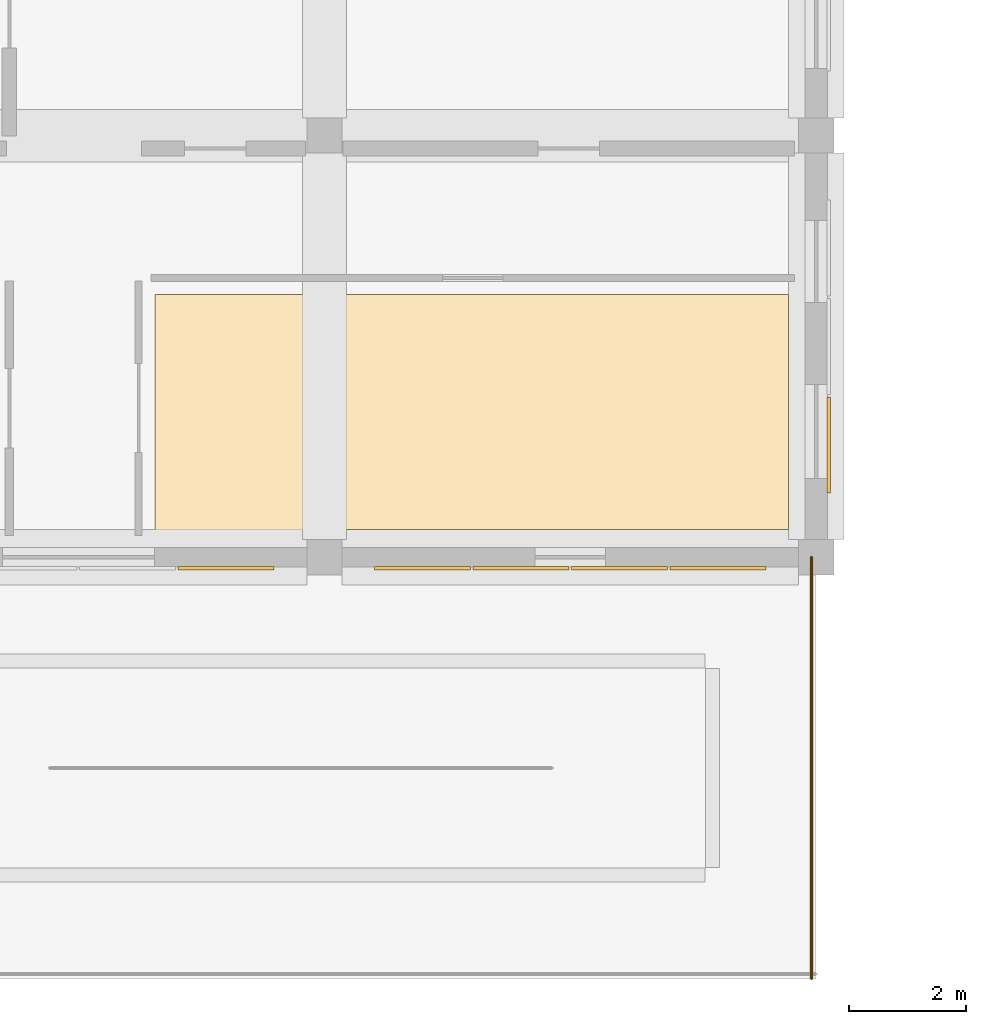
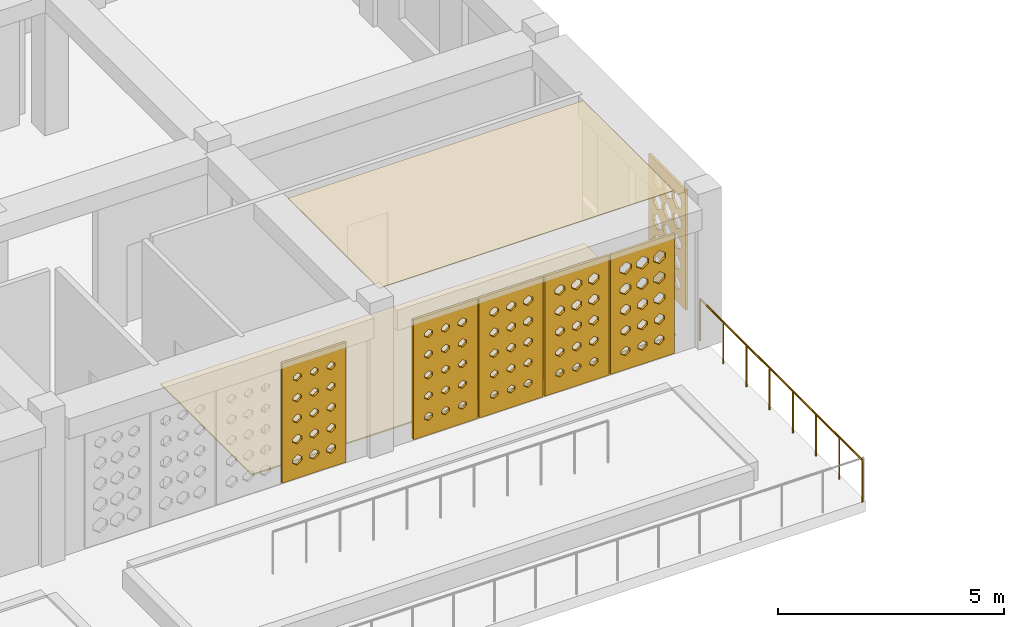
# One storey, part 38 of 48: 8 coverings, 1 railing.
"""IFC4 building model written with IfcOpenShell, lengths in metres."""

from ifc_helpers import new_model, si_unit, derived_unit, direction, frame, origin, origin_2d, place, context, subcontext, project, spatial, polyline, circle, outline, extrude, material, layer, layer_set, type_object, element, save


model = new_model("IFC4")

# Units and contexts
model_context = context("Model", 3, precision=1e-05, world=origin(), true_north=direction((0.0, 1.0)))
body_context = subcontext(model_context, "Body", "Model", "MODEL_VIEW")
ifc_project = project(units=[si_unit("LENGTHUNIT", "METRE"), si_unit("AREAUNIT", "SQUARE_METRE"), si_unit("VOLUMEUNIT", "CUBIC_METRE"), si_unit("PLANEANGLEUNIT", "RADIAN"), si_unit("MASSUNIT", "GRAM", prefix="KILO"), derived_unit("THERMALTRANSMITTANCEUNIT", [(si_unit("POWERUNIT", "WATT"), 1), (si_unit("LENGTHUNIT", "METRE"), -2), (si_unit("THERMODYNAMICTEMPERATUREUNIT", "KELVIN"), -1)])], contexts=[model_context])

# Site, building, storey
site_placement = place(None, origin())
site = spatial("IfcSite", under=ifc_project, at=site_placement, CompositionType="ELEMENT")
building_placement = place(site_placement, origin())
building = spatial("IfcBuilding", under=site, at=building_placement, Name="Veybourne Emporium", CompositionType="ELEMENT")
storey_placement = place(building_placement, frame((0.0, 0.0, 27.89990234375)))
storey = spatial("IfcBuildingStorey", under=building, at=storey_placement, Name="L06", CompositionType="ELEMENT", Elevation=27.89990234375)

# Coverings
ifc_material_1 = material(Name="Mineral Acoustic Ceiling", Category="gypsum")
ifc_layer_1 = layer(ifc_material_1, 0.02490234375)
ifc_layer_set_1 = layer_set([ifc_layer_1], Name="Mineral Acoustic Ceiling")
covering_type_1 = type_object("IfcCoveringType", Name="Ceiling_CLG-01", PredefinedType="CEILING", material=ifc_layer_set_1)
covering_1_placement = place(storey_placement, frame((0.0, 0.0, 3.885009765625)))
element("IfcCovering", 1, at=covering_1_placement, inside=storey, type_object=covering_type_1, Name="L06 coffered acoustic ceiling 02", PredefinedType="CEILING", context=body_context, shape_type="SweptSolid", body=[
    extrude(outline(polyline([(49.927001953125, 11.68994140625), (49.927001953125, 7.673095703125), (42.373046875, 7.673095703125), (42.373046875, 11.68994140625), (49.927001953125, 11.68994140625)])), origin(), (0.0, 0.0, 1.0), 0.025146484375),
])
ifc_material_2 = material(Name="European Oak Parquet", Category="wood")
ifc_layer_2 = layer(ifc_material_2, 0.034912109375)
ifc_layer_set_2 = layer_set([ifc_layer_2], Name="European Oak Parquet")
covering_type_2 = type_object("IfcCoveringType", Name="Flooring_FLR-02", PredefinedType="FLOORING", material=ifc_layer_set_2)
covering_2_placement = place(storey_placement, origin())
element("IfcCovering", 2, at=covering_2_placement, inside=storey, type_object=covering_type_2, Name="L06 floor finish 02", PredefinedType="FLOORING", context=body_context, shape_type="SweptSolid", body=[
    extrude(outline(polyline([(49.9599609375, 11.68994140625), (49.9599609375, 7.639892578125), (39.110107421875, 7.639892578125), (39.110107421875, 11.68994140625), (49.9599609375, 11.68994140625)])), origin(), (0.0, 0.0, 1.0), 0.03515625),
])

# Railing
ifc_material_3 = material(Name="Patinated Architectural Bronze", Category="bronze")
railing_type = type_object("IfcRailingType", Name="Guard_GR-02", PredefinedType="GUARDRAIL", material=ifc_material_3)
railing_placement = place(storey_placement, frame((50.320068359375, 7.199951171875, 0.0)))
element("IfcRailing", 3, at=railing_placement, inside=storey, type_object=railing_type, Name="L06 terrace perimeter guardrail 008", PredefinedType="GUARDRAIL", context=body_context, shape_type="SweptSolid", body=[
    extrude(circle(Radius=0.02392578125, at=origin_2d()), frame((0.0, 0.0, 1.1259765625), z_axis=(0.0, -1.0, 0.0), x_axis=(1.0, 0.0, 0.0)), (0.0, 0.0, 1.0), 7.199951171875),
    extrude(circle(Radius=0.02099609375, at=origin_2d()), origin(), (0.0, 0.0, 1.0), 1.101806640625),
    extrude(circle(Radius=0.02099609375, at=origin_2d()), frame((0.0, -1.028564453125, 0.0)), (0.0, 0.0, 1.0), 1.101806640625),
    extrude(circle(Radius=0.02099609375, at=origin_2d()), frame((0.0, -2.05712890625, 0.0)), (0.0, 0.0, 1.0), 1.101806640625),
    extrude(circle(Radius=0.02099609375, at=origin_2d()), frame((0.0, -3.085693359375, 0.0)), (0.0, 0.0, 1.0), 1.101806640625),
    extrude(circle(Radius=0.02099609375, at=origin_2d()), frame((0.0, -4.1142578125, 0.0)), (0.0, 0.0, 1.0), 1.101806640625),
    extrude(circle(Radius=0.02099609375, at=origin_2d()), frame((0.0, -5.142822265625, 0.0)), (0.0, 0.0, 1.0), 1.101806640625),
    extrude(circle(Radius=0.02099609375, at=origin_2d()), frame((0.0, -6.17138671875, 0.0)), (0.0, 0.0, 1.0), 1.101806640625),
    extrude(circle(Radius=0.02099609375, at=origin_2d()), frame((0.0, -7.199951171875, 0.0)), (0.0, 0.0, 1.0), 1.101806640625),
])

# Coverings
ifc_material_4 = material(Name="Warm-White Perforated Aluminium Screen Alloy", Category="aluminium")
ifc_layer_3 = layer(ifc_material_4, 0.06005859375)
ifc_layer_set_3 = layer_set([ifc_layer_3], Name="Warm-White Perforated Aluminium Screen Alloy")
covering_type_3 = type_object("IfcCoveringType", Name="WaveScreen_SCR-01", PredefinedType="CLADDING", material=ifc_layer_set_3)
covering_3_placement = place(storey_placement, frame((48.719970703125, 6.97705078125, 1.68017578125), z_axis=(0.0, 1.0, 0.0), x_axis=(-1.0, 0.0, 0.0)))
element("IfcCovering", 4, at=covering_3_placement, inside=storey, type_object=covering_type_3, Name="L06 wave-perforated aluminium screen SCR-01 (17T.1)", PredefinedType="CLADDING", context=body_context, shape_type="SweptSolid", body=[
    extrude(outline(polyline([(-0.81982421875, -1.6201171875), (0.81982421875, -1.6201171875), (0.81982421875, 1.6201171875), (-0.81982421875, 1.6201171875), (-0.81982421875, -1.6201171875)]), holes=[polyline([(-0.433349609375, -0.985107421875), (-0.31298828125, -1.0712890625), (-0.31298828125, -1.168701171875), (-0.433349609375, -1.2548828125), (-0.5537109375, -1.168701171875), (-0.5537109375, -1.0712890625), (-0.433349609375, -0.985107421875)]), polyline([(-0.433349609375, -0.4150390625), (-0.3046875, -0.5078125), (-0.3046875, -0.6123046875), (-0.433349609375, -0.704833984375), (-0.56201171875, -0.6123046875), (-0.56201171875, -0.5078125), (-0.433349609375, -0.4150390625)]), polyline([(-0.433349609375, 0.156005859375), (-0.295654296875, 0.05615234375), (-0.295654296875, -0.05615234375), (-0.433349609375, -0.156005859375), (-0.571044921875, -0.05615234375), (-0.571044921875, 0.05615234375), (-0.433349609375, 0.156005859375)]), polyline([(-0.433349609375, 0.72802734375), (-0.285888671875, 0.62060546875), (-0.285888671875, 0.49951171875), (-0.433349609375, 0.39208984375), (-0.580810546875, 0.49951171875), (-0.580810546875, 0.62060546875), (-0.433349609375, 0.72802734375)]), polyline([(-0.433349609375, 1.300537109375), (-0.275634765625, 1.18505859375), (-0.275634765625, 1.054931640625), (-0.433349609375, 0.939453125), (-0.591064453125, 1.054931640625), (-0.591064453125, 1.18505859375), (-0.433349609375, 1.300537109375)]), polyline([(0.0, -0.989501953125), (0.11669921875, -1.072998046875), (0.11669921875, -1.1669921875), (0.0, -1.25048828125), (-0.11669921875, -1.1669921875), (-0.11669921875, -1.072998046875), (0.0, -0.989501953125)]), polyline([(0.0, -0.420166015625), (0.12451171875, -0.509765625), (0.12451171875, -0.6103515625), (0.0, -0.69970703125), (-0.12451171875, -0.6103515625), (-0.12451171875, -0.509765625), (0.0, -0.420166015625)]), polyline([(0.0, 0.150390625), (0.133056640625, 0.05419921875), (0.133056640625, -0.05419921875), (0.0, -0.150390625), (-0.133056640625, -0.05419921875), (-0.133056640625, 0.05419921875), (0.0, 0.150390625)]), polyline([(0.0, 0.721923828125), (0.142578125, 0.618408203125), (0.142578125, 0.501708984375), (0.0, 0.398193359375), (-0.142578125, 0.501708984375), (-0.142578125, 0.618408203125), (0.0, 0.721923828125)]), polyline([(0.0, 1.294189453125), (0.152587890625, 1.1826171875), (0.152587890625, 1.057373046875), (0.0, 0.94580078125), (-0.152587890625, 1.057373046875), (-0.152587890625, 1.1826171875), (0.0, 1.294189453125)]), polyline([(0.433349609375, -0.993408203125), (0.546875, -1.074462890625), (0.546875, -1.16552734375), (0.433349609375, -1.24658203125), (0.31982421875, -1.16552734375), (0.31982421875, -1.074462890625), (0.433349609375, -0.993408203125)]), polyline([(0.433349609375, -0.425048828125), (0.5537109375, -0.511474609375), (0.5537109375, -0.608642578125), (0.433349609375, -0.695068359375), (0.31298828125, -0.608642578125), (0.31298828125, -0.511474609375), (0.433349609375, -0.425048828125)]), polyline([(0.433349609375, 0.14501953125), (0.56201171875, 0.05224609375), (0.56201171875, -0.05224609375), (0.433349609375, -0.14501953125), (0.3046875, -0.05224609375), (0.3046875, 0.05224609375), (0.433349609375, 0.14501953125)]), polyline([(0.433349609375, 0.716064453125), (0.571044921875, 0.6162109375), (0.571044921875, 0.50390625), (0.433349609375, 0.40380859375), (0.295654296875, 0.50390625), (0.295654296875, 0.6162109375), (0.433349609375, 0.716064453125)]), polyline([(0.433349609375, 1.2880859375), (0.580810546875, 1.180419921875), (0.580810546875, 1.0595703125), (0.433349609375, 0.951904296875), (0.285888671875, 1.0595703125), (0.285888671875, 1.180419921875), (0.433349609375, 1.2880859375)])]), origin(), (0.0, 0.0, 1.0), 0.06005859375),
])
ifc_layer_4 = layer(ifc_material_4, 0.06005859375)
ifc_layer_set_4 = layer_set([ifc_layer_4], Name="Warm-White Perforated Aluminium Screen Alloy")
covering_type_4 = type_object("IfcCoveringType", Name="WaveScreen_SCR-02", PredefinedType="CLADDING", material=ifc_layer_set_4)
covering_4_placement = place(storey_placement, frame((47.0400390625, 6.97705078125, 1.68017578125), z_axis=(0.0, 1.0, 0.0), x_axis=(-1.0, 0.0, 0.0)))
element("IfcCovering", 5, at=covering_4_placement, inside=storey, type_object=covering_type_4, Name="L06 wave-perforated aluminium screen SCR-02 (17T.2)", PredefinedType="CLADDING", context=body_context, shape_type="SweptSolid", body=[
    extrude(outline(polyline([(-0.81982421875, -1.6201171875), (0.81982421875, -1.6201171875), (0.81982421875, 1.6201171875), (-0.81982421875, 1.6201171875), (-0.81982421875, -1.6201171875)]), holes=[polyline([(-0.433349609375, -1.0), (-0.3251953125, -1.076904296875), (-0.3251953125, -1.1630859375), (-0.433349609375, -1.239990234375), (-0.54150390625, -1.1630859375), (-0.54150390625, -1.076904296875), (-0.433349609375, -1.0)]), polyline([(-0.433349609375, -0.43310546875), (-0.3193359375, -0.514404296875), (-0.3193359375, -0.605712890625), (-0.433349609375, -0.68701171875), (-0.547119140625, -0.605712890625), (-0.547119140625, -0.514404296875), (-0.433349609375, -0.43310546875)]), polyline([(-0.433349609375, 0.135498046875), (-0.3125, 0.048828125), (-0.3125, -0.048828125), (-0.433349609375, -0.135498046875), (-0.55419921875, -0.048828125), (-0.55419921875, 0.048828125), (-0.433349609375, 0.135498046875)]), polyline([(-0.433349609375, 0.705810546875), (-0.30419921875, 0.6123046875), (-0.30419921875, 0.507568359375), (-0.433349609375, 0.414306640625), (-0.5625, 0.507568359375), (-0.5625, 0.6123046875), (-0.433349609375, 0.705810546875)]), polyline([(-0.433349609375, 1.27685546875), (-0.294921875, 1.176513671875), (-0.294921875, 1.0634765625), (-0.433349609375, 0.963134765625), (-0.571533203125, 1.0634765625), (-0.571533203125, 1.176513671875), (-0.433349609375, 1.27685546875)]), polyline([(0.0, -1.0029296875), (0.105712890625, -1.077880859375), (0.105712890625, -1.162109375), (0.0, -1.237060546875), (-0.105712890625, -1.162109375), (-0.105712890625, -1.077880859375), (0.0, -1.0029296875)]), polyline([(0.0, -0.436767578125), (0.11083984375, -0.515625), (0.11083984375, -0.6044921875), (0.0, -0.683349609375), (-0.11083984375, -0.6044921875), (-0.11083984375, -0.515625), (0.0, -0.436767578125)]), polyline([(0.0, 0.131103515625), (0.1171875, 0.047119140625), (0.1171875, -0.047119140625), (0.0, -0.131103515625), (-0.1171875, -0.047119140625), (-0.1171875, 0.047119140625), (0.0, 0.131103515625)]), polyline([(0.0, 0.700439453125), (0.125, 0.610595703125), (0.125, 0.509521484375), (0.0, 0.41943359375), (-0.125, 0.509521484375), (-0.125, 0.610595703125), (0.0, 0.700439453125)]), polyline([(0.0, 1.27099609375), (0.1337890625, 1.17431640625), (0.1337890625, 1.065673828125), (0.0, 0.968994140625), (-0.1337890625, 1.065673828125), (-0.1337890625, 1.17431640625), (0.0, 1.27099609375)]), polyline([(0.433349609375, -1.00537109375), (0.537109375, -1.07861328125), (0.537109375, -1.161376953125), (0.433349609375, -1.234619140625), (0.32958984375, -1.161376953125), (0.32958984375, -1.07861328125), (0.433349609375, -1.00537109375)]), polyline([(0.433349609375, -0.43994140625), (0.54150390625, -0.516845703125), (0.54150390625, -0.603271484375), (0.433349609375, -0.679931640625), (0.3251953125, -0.603271484375), (0.3251953125, -0.516845703125), (0.433349609375, -0.43994140625)]), polyline([(0.433349609375, 0.126953125), (0.54736328125, 0.045654296875), (0.54736328125, -0.045654296875), (0.433349609375, -0.126953125), (0.3193359375, -0.045654296875), (0.3193359375, 0.045654296875), (0.433349609375, 0.126953125)]), polyline([(0.433349609375, 0.69580078125), (0.55419921875, 0.60888671875), (0.55419921875, 0.51123046875), (0.433349609375, 0.42431640625), (0.312255859375, 0.51123046875), (0.312255859375, 0.60888671875), (0.433349609375, 0.69580078125)]), polyline([(0.433349609375, 1.265625), (0.5625, 1.172607421875), (0.5625, 1.0673828125), (0.433349609375, 0.974365234375), (0.30419921875, 1.0673828125), (0.30419921875, 1.172607421875), (0.433349609375, 1.265625)])]), origin(), (0.0, 0.0, 1.0), 0.06005859375),
])
ifc_layer_5 = layer(ifc_material_4, 0.06005859375)
ifc_layer_set_5 = layer_set([ifc_layer_5], Name="Warm-White Perforated Aluminium Screen Alloy")
covering_type_5 = type_object("IfcCoveringType", Name="WaveScreen_SCR-03", PredefinedType="CLADDING", material=ifc_layer_set_5)
covering_5_placement = place(storey_placement, frame((40.320068359375, 6.97705078125, 1.68017578125), z_axis=(0.0, 1.0, 0.0), x_axis=(-1.0, 0.0, 0.0)))
element("IfcCovering", 6, at=covering_5_placement, inside=storey, type_object=covering_type_5, Name="L06 wave-perforated aluminium screen SCR-03 (15T.1)", PredefinedType="CLADDING", context=body_context, shape_type="SweptSolid", body=[
    extrude(outline(polyline([(-0.81982421875, -1.6201171875), (0.81982421875, -1.6201171875), (0.81982421875, 1.6201171875), (-0.81982421875, 1.6201171875), (-0.81982421875, -1.6201171875)]), holes=[polyline([(-0.433349609375, -0.989990234375), (-0.31689453125, -1.0732421875), (-0.31689453125, -1.166748046875), (-0.433349609375, -1.25), (-0.5498046875, -1.166748046875), (-0.5498046875, -1.0732421875), (-0.433349609375, -0.989990234375)]), polyline([(-0.433349609375, -0.4375), (-0.3232421875, -0.515869140625), (-0.3232421875, -0.60400390625), (-0.433349609375, -0.682373046875), (-0.54345703125, -0.60400390625), (-0.54345703125, -0.515869140625), (-0.433349609375, -0.4375)]), polyline([(-0.433349609375, 0.116455078125), (-0.327880859375, 0.0419921875), (-0.327880859375, -0.0419921875), (-0.433349609375, -0.116455078125), (-0.53857421875, -0.0419921875), (-0.53857421875, 0.0419921875), (-0.433349609375, 0.116455078125)]), polyline([(-0.433349609375, 0.67236328125), (-0.331298828125, 0.6005859375), (-0.331298828125, 0.51953125), (-0.433349609375, 0.447509765625), (-0.535400390625, 0.51953125), (-0.535400390625, 0.6005859375), (-0.433349609375, 0.67236328125)]), polyline([(-0.433349609375, 1.230224609375), (-0.3330078125, 1.15966796875), (-0.3330078125, 1.080322265625), (-0.433349609375, 1.009765625), (-0.53369140625, 1.080322265625), (-0.53369140625, 1.15966796875), (-0.433349609375, 1.230224609375)]), polyline([(0.0, -0.985595703125), (0.1201171875, -1.071533203125), (0.1201171875, -1.16845703125), (0.0, -1.25439453125), (-0.1201171875, -1.16845703125), (-0.1201171875, -1.071533203125), (0.0, -0.985595703125)]), polyline([(0.0, -0.43408203125), (0.113037109375, -0.5146484375), (0.113037109375, -0.60546875), (0.0, -0.68603515625), (-0.113037109375, -0.60546875), (-0.113037109375, -0.5146484375), (0.0, -0.43408203125)]), polyline([(0.0, 0.119140625), (0.107666015625, 0.04296875), (0.107666015625, -0.04296875), (0.0, -0.119140625), (-0.107666015625, -0.04296875), (-0.107666015625, 0.04296875), (0.0, 0.119140625)]), polyline([(0.0, 0.67431640625), (0.103515625, 0.60107421875), (0.103515625, 0.518798828125), (0.0, 0.44580078125), (-0.103515625, 0.518798828125), (-0.103515625, 0.60107421875), (0.0, 0.67431640625)]), polyline([(0.0, 1.231201171875), (0.100830078125, 1.159912109375), (0.100830078125, 1.080078125), (0.0, 1.0087890625), (-0.100830078125, 1.080078125), (-0.100830078125, 1.159912109375), (0.0, 1.231201171875)]), polyline([(0.433349609375, -0.980712890625), (0.557373046875, -1.06982421875), (0.557373046875, -1.170166015625), (0.433349609375, -1.25927734375), (0.309326171875, -1.170166015625), (0.309326171875, -1.06982421875), (0.433349609375, -0.980712890625)]), polyline([(0.433349609375, -0.429931640625), (0.5498046875, -0.51318359375), (0.5498046875, -0.606689453125), (0.433349609375, -0.690185546875), (0.31689453125, -0.606689453125), (0.31689453125, -0.51318359375), (0.433349609375, -0.429931640625)]), polyline([(0.433349609375, 0.122314453125), (0.54345703125, 0.044189453125), (0.54345703125, -0.044189453125), (0.433349609375, -0.122314453125), (0.3232421875, -0.044189453125), (0.3232421875, 0.044189453125), (0.433349609375, 0.122314453125)]), polyline([(0.433349609375, 0.676513671875), (0.53857421875, 0.601806640625), (0.53857421875, 0.51806640625), (0.433349609375, 0.443603515625), (0.327880859375, 0.51806640625), (0.327880859375, 0.601806640625), (0.433349609375, 0.676513671875)]), polyline([(0.433349609375, 1.232421875), (0.535400390625, 1.160400390625), (0.535400390625, 1.07958984375), (0.433349609375, 1.007568359375), (0.331298828125, 1.07958984375), (0.331298828125, 1.160400390625), (0.433349609375, 1.232421875)])]), origin(), (0.0, 0.0, 1.0), 0.06005859375),
])
covering_6_placement = place(storey_placement, frame((45.360107421875, 6.97705078125, 1.68017578125), z_axis=(0.0, 1.0, 0.0), x_axis=(-1.0, 0.0, 0.0)))
element("IfcCovering", 7, at=covering_6_placement, inside=storey, type_object=covering_type_5, Name="L06 wave-perforated aluminium screen SCR-03 (17T.3)", PredefinedType="CLADDING", context=body_context, shape_type="SweptSolid", body=[
    extrude(outline(polyline([(-0.81982421875, -1.6201171875), (0.81982421875, -1.6201171875), (0.81982421875, 1.6201171875), (-0.81982421875, 1.6201171875), (-0.81982421875, -1.6201171875)]), holes=[polyline([(-0.433349609375, -1.008544921875), (-0.33203125, -1.079833984375), (-0.33203125, -1.16015625), (-0.433349609375, -1.2314453125), (-0.53466796875, -1.16015625), (-0.53466796875, -1.079833984375), (-0.433349609375, -1.008544921875)]), polyline([(-0.433349609375, -0.445068359375), (-0.3291015625, -0.5185546875), (-0.3291015625, -0.601318359375), (-0.433349609375, -0.675048828125), (-0.537353515625, -0.601318359375), (-0.537353515625, -0.5185546875), (-0.433349609375, -0.445068359375)]), polyline([(-0.433349609375, 0.120361328125), (-0.32470703125, 0.043212890625), (-0.32470703125, -0.043212890625), (-0.433349609375, -0.120361328125), (-0.541748046875, -0.043212890625), (-0.541748046875, 0.043212890625), (-0.433349609375, 0.120361328125)]), polyline([(-0.433349609375, 0.6875), (-0.319091796875, 0.60595703125), (-0.319091796875, 0.51416015625), (-0.433349609375, 0.432373046875), (-0.547607421875, 0.51416015625), (-0.547607421875, 0.60595703125), (-0.433349609375, 0.6875)]), polyline([(-0.433349609375, 1.25634765625), (-0.311767578125, 1.169189453125), (-0.311767578125, 1.07080078125), (-0.433349609375, 0.983642578125), (-0.5546875, 1.07080078125), (-0.5546875, 1.169189453125), (-0.433349609375, 1.25634765625)]), polyline([(0.0, -1.009521484375), (0.1005859375, -1.080078125), (0.1005859375, -1.159912109375), (0.0, -1.230712890625), (-0.1005859375, -1.159912109375), (-0.1005859375, -1.080078125), (0.0, -1.009521484375)]), polyline([(0.0, -0.447021484375), (0.1025390625, -0.519287109375), (0.1025390625, -0.6005859375), (0.0, -0.673095703125), (-0.1025390625, -0.6005859375), (-0.1025390625, -0.519287109375), (0.0, -0.447021484375)]), polyline([(0.0, 0.117431640625), (0.106201171875, 0.042236328125), (0.106201171875, -0.042236328125), (0.0, -0.117431640625), (-0.106201171875, -0.042236328125), (-0.106201171875, 0.042236328125), (0.0, 0.117431640625)]), polyline([(0.0, 0.683837890625), (0.111328125, 0.6044921875), (0.111328125, 0.515380859375), (0.0, 0.436279296875), (-0.111328125, 0.515380859375), (-0.111328125, 0.6044921875), (0.0, 0.683837890625)]), polyline([(0.0, 1.251708984375), (0.117919921875, 1.16748046875), (0.117919921875, 1.072509765625), (0.0, 0.98828125), (-0.117919921875, 1.072509765625), (-0.117919921875, 1.16748046875), (0.0, 1.251708984375)]), polyline([(0.433349609375, -1.010009765625), (0.533447265625, -1.080322265625), (0.533447265625, -1.15966796875), (0.433349609375, -1.22998046875), (0.333251953125, -1.15966796875), (0.333251953125, -1.080322265625), (0.433349609375, -1.010009765625)]), polyline([(0.433349609375, -0.448486328125), (0.53466796875, -0.519775390625), (0.53466796875, -0.60009765625), (0.433349609375, -0.671630859375), (0.33203125, -0.60009765625), (0.33203125, -0.519775390625), (0.433349609375, -0.448486328125)]), polyline([(0.433349609375, 0.114990234375), (0.53759765625, 0.04150390625), (0.53759765625, -0.04150390625), (0.433349609375, -0.114990234375), (0.3291015625, -0.04150390625), (0.3291015625, 0.04150390625), (0.433349609375, 0.114990234375)]), polyline([(0.433349609375, 0.680419921875), (0.5419921875, 0.603515625), (0.5419921875, 0.5166015625), (0.433349609375, 0.439697265625), (0.32470703125, 0.5166015625), (0.32470703125, 0.603515625), (0.433349609375, 0.680419921875)]), polyline([(0.433349609375, 1.24755859375), (0.547607421875, 1.166015625), (0.547607421875, 1.07421875), (0.433349609375, 0.992431640625), (0.31884765625, 1.07421875), (0.31884765625, 1.166015625), (0.433349609375, 1.24755859375)])]), origin(), (0.0, 0.0, 1.0), 0.06005859375),
])
ifc_layer_6 = layer(ifc_material_4, 0.06005859375)
ifc_layer_set_6 = layer_set([ifc_layer_6], Name="Warm-White Perforated Aluminium Screen Alloy")
covering_type_6 = type_object("IfcCoveringType", Name="WaveScreen_SCR-04", PredefinedType="CLADDING", material=ifc_layer_set_6)
covering_7_placement = place(storey_placement, frame((43.679931640625, 6.97705078125, 1.68017578125), z_axis=(0.0, 1.0, 0.0), x_axis=(-1.0, 0.0, 0.0)))
element("IfcCovering", 8, at=covering_7_placement, inside=storey, type_object=covering_type_6, Name="L06 wave-perforated aluminium screen SCR-04 (17T.4)", PredefinedType="CLADDING", context=body_context, shape_type="SweptSolid", body=[
    extrude(outline(polyline([(-0.81982421875, -1.6201171875), (0.81982421875, -1.6201171875), (0.81982421875, 1.6201171875), (-0.81982421875, 1.6201171875), (-0.81982421875, -1.6201171875)]), holes=[polyline([(-0.433349609375, -1.009521484375), (-0.3330078125, -1.080078125), (-0.3330078125, -1.159912109375), (-0.433349609375, -1.23046875), (-0.53369140625, -1.159912109375), (-0.53369140625, -1.080078125), (-0.433349609375, -1.009521484375)]), polyline([(-0.433349609375, -0.449951171875), (-0.333251953125, -0.5205078125), (-0.333251953125, -0.599609375), (-0.433349609375, -0.670166015625), (-0.533447265625, -0.599609375), (-0.533447265625, -0.5205078125), (-0.433349609375, -0.449951171875)]), polyline([(-0.433349609375, 0.11181640625), (-0.331787109375, 0.040283203125), (-0.331787109375, -0.040283203125), (-0.433349609375, -0.11181640625), (-0.534912109375, -0.040283203125), (-0.534912109375, 0.040283203125), (-0.433349609375, 0.11181640625)]), polyline([(-0.433349609375, 0.67529296875), (-0.3291015625, 0.6015625), (-0.3291015625, 0.5185546875), (-0.433349609375, 0.444580078125), (-0.53759765625, 0.5185546875), (-0.53759765625, 0.6015625), (-0.433349609375, 0.67529296875)]), polyline([(-0.433349609375, 1.240966796875), (-0.324462890625, 1.16357421875), (-0.324462890625, 1.076416015625), (-0.433349609375, 0.9990234375), (-0.542236328125, 1.076416015625), (-0.542236328125, 1.16357421875), (-0.433349609375, 1.240966796875)]), polyline([(0.0, -1.008544921875), (0.101318359375, -1.079833984375), (0.101318359375, -1.16015625), (0.0, -1.2314453125), (-0.101318359375, -1.16015625), (-0.101318359375, -1.079833984375), (0.0, -1.008544921875)]), polyline([(0.0, -0.449951171875), (0.10009765625, -0.5205078125), (0.10009765625, -0.599609375), (0.0, -0.669921875), (-0.10009765625, -0.599609375), (-0.10009765625, -0.5205078125), (0.0, -0.449951171875)]), polyline([(0.0, 0.110595703125), (0.1005859375, 0.039794921875), (0.1005859375, -0.039794921875), (0.0, -0.110595703125), (-0.1005859375, -0.039794921875), (-0.1005859375, 0.039794921875), (0.0, 0.110595703125)]), polyline([(0.0, 0.67333984375), (0.102783203125, 0.600830078125), (0.102783203125, 0.519287109375), (0.0, 0.44677734375), (-0.102783203125, 0.519287109375), (-0.102783203125, 0.600830078125), (0.0, 0.67333984375)]), polyline([(0.0, 1.23779296875), (0.1064453125, 1.162353515625), (0.1064453125, 1.07763671875), (0.0, 1.002197265625), (-0.1064453125, 1.07763671875), (-0.1064453125, 1.162353515625), (0.0, 1.23779296875)]), polyline([(0.433349609375, -1.007080078125), (0.53564453125, -1.079345703125), (0.53564453125, -1.16064453125), (0.433349609375, -1.23291015625), (0.3310546875, -1.16064453125), (0.3310546875, -1.079345703125), (0.433349609375, -1.007080078125)]), polyline([(0.433349609375, -0.449462890625), (0.53369140625, -0.520263671875), (0.53369140625, -0.599853515625), (0.433349609375, -0.67041015625), (0.3330078125, -0.599853515625), (0.3330078125, -0.520263671875), (0.433349609375, -0.449462890625)]), polyline([(0.433349609375, 0.110107421875), (0.533447265625, 0.03955078125), (0.533447265625, -0.03955078125), (0.433349609375, -0.110107421875), (0.333251953125, -0.03955078125), (0.333251953125, 0.03955078125), (0.433349609375, 0.110107421875)]), polyline([(0.433349609375, 0.671630859375), (0.534912109375, 0.60009765625), (0.534912109375, 0.519775390625), (0.433349609375, 0.4482421875), (0.331787109375, 0.519775390625), (0.331787109375, 0.60009765625), (0.433349609375, 0.671630859375)]), polyline([(0.433349609375, 1.2353515625), (0.53759765625, 1.16162109375), (0.53759765625, 1.07861328125), (0.433349609375, 1.004638671875), (0.328857421875, 1.07861328125), (0.328857421875, 1.16162109375), (0.433349609375, 1.2353515625)])]), origin(), (0.0, 0.0, 1.0), 0.06005859375),
])
covering_8_placement = place(storey_placement, frame((50.64794921875, 9.1201171875, 1.68017578125), z_axis=(-1.0, 0.0, 0.0), x_axis=(0.0, -1.0, 0.0)))
element("IfcCovering", 9, at=covering_8_placement, inside=storey, type_object=covering_type_6, Name="L06 wave-perforated aluminium screen SCR-04 (18.3)", PredefinedType="CLADDING", context=body_context, shape_type="SweptSolid", body=[
    extrude(outline(polyline([(-0.81982421875, -1.6201171875), (0.81982421875, -1.6201171875), (0.81982421875, 1.6201171875), (-0.81982421875, 1.6201171875), (-0.81982421875, -1.6201171875)]), holes=[polyline([(-0.433349609375, -0.931640625), (-0.269287109375, -1.05224609375), (-0.269287109375, -1.187744140625), (-0.433349609375, -1.308349609375), (-0.597412109375, -1.187744140625), (-0.597412109375, -1.05224609375), (-0.433349609375, -0.931640625)]), polyline([(-0.433349609375, -0.358642578125), (-0.258544921875, -0.487548828125), (-0.258544921875, -0.632568359375), (-0.433349609375, -0.76123046875), (-0.60791015625, -0.632568359375), (-0.60791015625, -0.487548828125), (-0.433349609375, -0.358642578125)]), polyline([(-0.433349609375, 0.214111328125), (-0.248291015625, 0.076904296875), (-0.248291015625, -0.076904296875), (-0.433349609375, -0.214111328125), (-0.618408203125, -0.076904296875), (-0.618408203125, 0.076904296875), (-0.433349609375, 0.214111328125)]), polyline([(-0.433349609375, 0.7861328125), (-0.2470703125, 0.641357421875), (-0.2470703125, 0.478515625), (-0.433349609375, 0.333740234375), (-0.61962890625, 0.478515625), (-0.61962890625, 0.641357421875), (-0.433349609375, 0.7861328125)]), polyline([(-0.433349609375, 1.357421875), (-0.2470703125, 1.20556640625), (-0.2470703125, 1.034423828125), (-0.433349609375, 0.882568359375), (-0.61962890625, 1.034423828125), (-0.61962890625, 1.20556640625), (-0.433349609375, 1.357421875)]), polyline([(0.0, -0.93798828125), (0.158935546875, -1.054443359375), (0.158935546875, -1.185546875), (0.0, -1.302001953125), (-0.158935546875, -1.185546875), (-0.158935546875, -1.054443359375), (0.0, -0.93798828125)]), polyline([(0.0, -0.364990234375), (0.16943359375, -0.48974609375), (0.16943359375, -0.630126953125), (0.0, -0.7548828125), (-0.16943359375, -0.630126953125), (-0.16943359375, -0.48974609375), (0.0, -0.364990234375)]), polyline([(0.0, 0.207763671875), (0.179931640625, 0.07470703125), (0.179931640625, -0.07470703125), (0.0, -0.207763671875), (-0.179931640625, -0.07470703125), (-0.179931640625, 0.07470703125), (0.0, 0.207763671875)]), polyline([(0.0, 0.7802734375), (0.186279296875, 0.639404296875), (0.186279296875, 0.480712890625), (0.0, 0.33984375), (-0.186279296875, 0.480712890625), (-0.186279296875, 0.639404296875), (0.0, 0.7802734375)]), polyline([(0.0, 1.35205078125), (0.186279296875, 1.20361328125), (0.186279296875, 1.03662109375), (0.0, 0.887939453125), (-0.186279296875, 1.03662109375), (-0.186279296875, 1.20361328125), (0.0, 1.35205078125)]), polyline([(0.433349609375, -0.9443359375), (0.5869140625, -1.056884765625), (0.5869140625, -1.18310546875), (0.433349609375, -1.295654296875), (0.279541015625, -1.18310546875), (0.279541015625, -1.056884765625), (0.433349609375, -0.9443359375)]), polyline([(0.433349609375, -0.37158203125), (0.597412109375, -0.4921875), (0.597412109375, -0.627685546875), (0.433349609375, -0.748291015625), (0.26904296875, -0.627685546875), (0.26904296875, -0.4921875), (0.433349609375, -0.37158203125)]), polyline([(0.433349609375, 0.201416015625), (0.608154296875, 0.072509765625), (0.608154296875, -0.072509765625), (0.433349609375, -0.201416015625), (0.258544921875, -0.072509765625), (0.258544921875, 0.072509765625), (0.433349609375, 0.201416015625)]), polyline([(0.433349609375, 0.774169921875), (0.618408203125, 0.63720703125), (0.618408203125, 0.48291015625), (0.433349609375, 0.345947265625), (0.248291015625, 0.48291015625), (0.248291015625, 0.63720703125), (0.433349609375, 0.774169921875)]), polyline([(0.433349609375, 1.34619140625), (0.61962890625, 1.201416015625), (0.61962890625, 1.03857421875), (0.433349609375, 0.893798828125), (0.2470703125, 1.03857421875), (0.2470703125, 1.201416015625), (0.433349609375, 1.34619140625)])]), origin(), (0.0, 0.0, 1.0), 0.06005859375),
])

save(model, "model.ifc")
